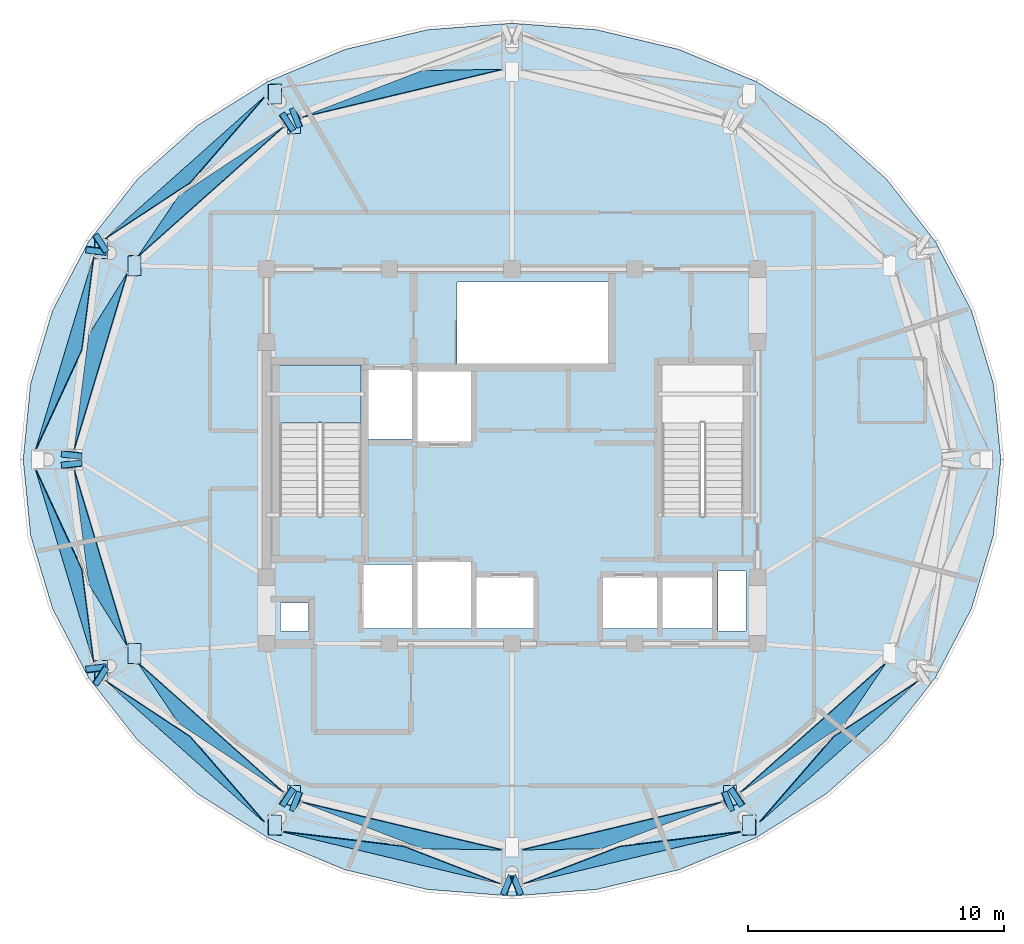
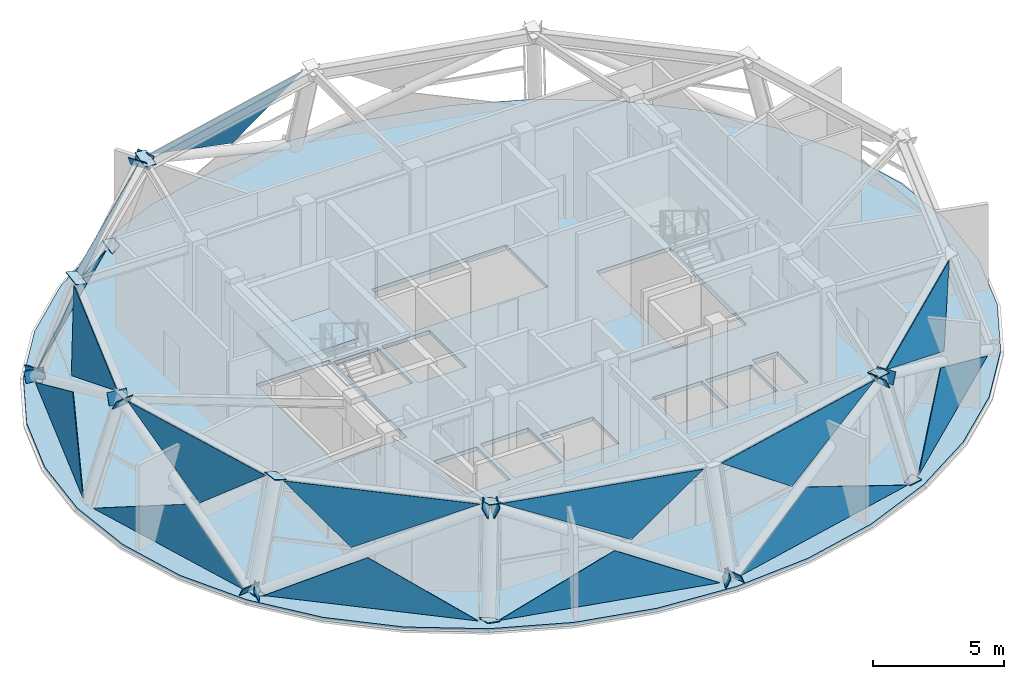
# One storey, part 3 of 11: 39 plates, 2 slabs, 9 elements without a shape of their own.
"""IFC4 building model written with IfcOpenShell, lengths in metres."""

from ifc_helpers import new_model, si_unit, direction, frame, origin, place, context, subcontext, project, spatial, polyline, outline, extrude, material, layer, layer_set, type_object, element, aggregate, save


model = new_model("IFC4")

# Units and contexts
model_context = context("Model", 3, precision=1e-05, world=origin(), true_north=direction((0.0, 1.0)))
body_context = subcontext(model_context, "Body", "Model", "MODEL_VIEW")
ifc_project = project(units=[si_unit("LENGTHUNIT", "METRE"), si_unit("AREAUNIT", "SQUARE_METRE"), si_unit("VOLUMEUNIT", "CUBIC_METRE"), si_unit("PLANEANGLEUNIT", "RADIAN"), si_unit("MASSUNIT", "GRAM", prefix="KILO")], contexts=[model_context])

# Site, building, storey
site_placement = place(None, origin())
site = spatial("IfcSite", under=ifc_project, at=site_placement, CompositionType="ELEMENT")
building_placement = place(site_placement, origin())
building = spatial("IfcBuilding", under=site, at=building_placement, Name="Vantalir Tower", CompositionType="ELEMENT")
storey_placement = place(building_placement, frame((0.0, 0.0, 299.699951171875)))
storey = spatial("IfcBuildingStorey", under=building, at=storey_placement, Name="L75", CompositionType="ELEMENT", Elevation=299.699951171875)

# Curtain wall, plate
ifc_material_1 = material(Name="Champagne-silver PVDF aluminium and double-silver Low-E glass", Category="aluminium")
ifc_layer_1 = layer(ifc_material_1, 0.219970703125)
ifc_layer_set_1 = layer_set([ifc_layer_1], Name="Champagne-silver PVDF aluminium and double-silver Low-E glass")
curtain_wall_type = type_object("IfcCurtainWallType", Name="CW-DIAMOND-Z4", PredefinedType="USERDEFINED", material=ifc_layer_set_1)
curtain_wall_1_placement = place(storey_placement, origin())
curtain_wall_1 = element("IfcCurtainWall", 1, at=curtain_wall_1_placement, inside=storey, type_object=curtain_wall_type, Name="L75 Quilted Pyramid-Diamond Curtain Wall S04", ObjectType="UNITISED CURTAIN WALL", PredefinedType="USERDEFINED")
ifc_material_2 = material(Name="Double-silver Low-E acoustic glass IGU", Category="glass")
ifc_layer_2 = layer(ifc_material_2, 0.031982421875)
ifc_layer_set_2 = layer_set([ifc_layer_2], Name="Double-silver Low-E acoustic glass IGU")
plate_type_1 = type_object("IfcPlateType", Name="CWP-IGU-32", PredefinedType="CURTAIN_PANEL", material=ifc_layer_set_2)
plate_1_placement = place(storey_placement, frame((23.2734375, 38.3916015625, 4.50244140625), z_axis=(-0.222057040959, 0.930461992241, 0.291429496714), x_axis=(0.972681810826, 0.232142400196, -3.031767e-05)))
plate_1 = element("IfcPlate", 2, at=plate_1_placement, type_object=plate_type_1, Name="CW-L75-S04 Pyramid Diamond Facet 2U", PredefinedType="CURTAIN_PANEL", context=body_context, shape_type="SweptSolid", body=[
    extrude(outline(polyline([(0.0, 0.0), (8.052750225916624, 4.082021179407924e-17), (4.999519975123439, 2.3144235336346504), (0.0, 0.0)])), origin(), (0.0, 0.0, -1.0), 0.031982421875),
])
aggregate(curtain_wall_1, [plate_1])

# Curtain wall, plates
curtain_wall_2_placement = place(storey_placement, origin())
curtain_wall_2 = element("IfcCurtainWall", 3, at=curtain_wall_2_placement, inside=storey, type_object=curtain_wall_type, Name="L75 Quilted Pyramid-Diamond Curtain Wall S05", ObjectType="UNITISED CURTAIN WALL", PredefinedType="USERDEFINED")
plate_2_placement = place(storey_placement, frame((21.8232421875, 39.1943359375, 0.047607421875), z_axis=(-0.637563421946, 0.715751023076, 0.284979571131), x_axis=(-0.746708800711, -0.665151085154, 2.9305683e-05)))
plate_2 = element("IfcPlate", 4, at=plate_2_placement, type_object=plate_type_1, Name="CW-L75-S05 Pyramid Diamond Facet 1L", PredefinedType="CURTAIN_PANEL", context=body_context, shape_type="SweptSolid", body=[
    extrude(outline(polyline([(0.0, 0.0), (8.33082872342985, -6.743737512859838e-17), (4.411601351531553, 2.007682653941266), (0.0, 0.0)])), origin(), (0.0, 0.0, -1.0), 0.031982421875),
])
plate_3_placement = place(storey_placement, frame((16.87158203125, 32.94677734375, 4.501953125), z_axis=(-0.633730170821, 0.711524313881, 0.303511484706), x_axis=(0.746763715312, 0.665089429632, 6.3907892e-05)))
plate_3 = element("IfcPlate", 5, at=plate_3_placement, type_object=plate_type_1, Name="CW-L75-S05 Pyramid Diamond Facet 2U", PredefinedType="CURTAIN_PANEL", context=body_context, shape_type="SweptSolid", body=[
    extrude(outline(polyline([(0.0, 0.0), (7.640390513435794, 2.636779683484747e-16), (2.778209285022281, 2.323656790945152), (0.0, 0.0)])), origin(), (0.0, 0.0, -1.0), 0.031982421875),
])
aggregate(curtain_wall_2, [plate_2, plate_3])

curtain_wall_3_placement = place(storey_placement, origin())
curtain_wall_3 = element("IfcCurtainWall", 6, at=curtain_wall_3_placement, inside=storey, type_object=curtain_wall_type, Name="L75 Quilted Pyramid-Diamond Curtain Wall S06", ObjectType="UNITISED CURTAIN WALL", PredefinedType="USERDEFINED")
plate_4_placement = place(storey_placement, frame((15.1396484375, 32.94091796875, 0.048095703125), z_axis=(-0.913751989323, 0.274853466194, 0.299187021994), x_axis=(-0.288066221262, -0.95761048884, -6.1903131e-05)))
plate_4 = element("IfcPlate", 7, at=plate_4_placement, type_object=plate_type_1, Name="CW-L75-S06 Pyramid Diamond Facet 1L", PredefinedType="CURTAIN_PANEL", context=body_context, shape_type="SweptSolid", body=[
    extrude(outline(polyline([(0.0, 0.0), (7.887827968579978, 1.1866592777853846e-16), (3.6206478985520594, 2.019741368903529), (0.0, 0.0)])), origin(), (0.0, 0.0, -1.0), 0.031982421875),
])
plate_5_placement = place(storey_placement, frame((14.375732421875, 25.3876953125, 4.502197265625), z_axis=(-0.907967558751, 0.273206024476, 0.317731617006), x_axis=(0.288115351126, 0.957595707935, -6.7744028e-05)))
plate_5 = element("IfcPlate", 8, at=plate_5_placement, type_object=plate_type_1, Name="CW-L75-S06 Pyramid Diamond Facet 2U", PredefinedType="CURTAIN_PANEL", context=body_context, shape_type="SweptSolid", body=[
    extrude(outline(polyline([(0.0, 0.0), (7.207738664845542, 2.1955093992831465e-16), (4.46783064156701, 2.3345387111269083), (0.0, 0.0)])), origin(), (0.0, 0.0, -1.0), 0.031982421875),
])
aggregate(curtain_wall_3, [plate_4, plate_5])

curtain_wall_4_placement = place(storey_placement, origin())
curtain_wall_4 = element("IfcCurtainWall", 9, at=curtain_wall_4_placement, inside=storey, type_object=curtain_wall_type, Name="L75 Quilted Pyramid-Diamond Curtain Wall S07", ObjectType="UNITISED CURTAIN WALL", PredefinedType="USERDEFINED")
plate_6_placement = place(storey_placement, frame((12.867431640625, 24.612548828125, 0.047607421875), z_axis=(-0.913751989323, -0.274853466194, 0.299187021994), x_axis=(0.288066221262, -0.95761048884, 6.1903131e-05)))
plate_6 = element("IfcPlate", 10, at=plate_6_placement, type_object=plate_type_1, Name="CW-L75-S07 Pyramid Diamond Facet 1L", PredefinedType="CURTAIN_PANEL", context=body_context, shape_type="SweptSolid", body=[
    extrude(outline(polyline([(0.0, 0.0), (7.887827968579978, -1.1866592777853846e-16), (4.267180070027919, 2.019741368903529), (0.0, 0.0)])), origin(), (0.0, 0.0, -1.0), 0.031982421875),
])
plate_7_placement = place(storey_placement, frame((16.452392578125, 17.710205078125, 4.501708984375), z_axis=(-0.907967558751, -0.273206024476, 0.317731617006), x_axis=(-0.288115351126, 0.957595707935, 6.7744028e-05)))
plate_7 = element("IfcPlate", 11, at=plate_7_placement, type_object=plate_type_1, Name="CW-L75-S07 Pyramid Diamond Facet 2U", PredefinedType="CURTAIN_PANEL", context=body_context, shape_type="SweptSolid", body=[
    extrude(outline(polyline([(0.0, 0.0), (7.207738664845542, -2.1955093992831465e-16), (2.739908023278532, 2.3345387111269083), (0.0, 0.0)])), origin(), (0.0, 0.0, -1.0), 0.031982421875),
])
aggregate(curtain_wall_4, [plate_6, plate_7])

curtain_wall_5_placement = place(storey_placement, origin())
curtain_wall_5 = element("IfcCurtainWall", 12, at=curtain_wall_5_placement, inside=storey, type_object=curtain_wall_type, Name="L75 Quilted Pyramid-Diamond Curtain Wall S08", ObjectType="UNITISED CURTAIN WALL", PredefinedType="USERDEFINED")
plate_8_placement = place(storey_placement, frame((15.6025390625, 16.346923828125, 0.0478515625), z_axis=(-0.637563421946, -0.715751023076, 0.284979571131), x_axis=(0.746708800711, -0.665151085154, -2.9305683e-05)))
plate_8 = element("IfcPlate", 13, at=plate_8_placement, type_object=plate_type_1, Name="CW-L75-S08 Pyramid Diamond Facet 1L", PredefinedType="CURTAIN_PANEL", context=body_context, shape_type="SweptSolid", body=[
    extrude(outline(polyline([(0.0, 0.0), (8.33082872342985, 6.743737512859838e-17), (3.919227371898298, 2.0076826539412655), (0.0, 0.0)])), origin(), (0.0, 0.0, -1.0), 0.031982421875),
])
plate_9_placement = place(storey_placement, frame((22.5771484375, 11.9716796875, 4.50244140625), z_axis=(-0.633730170821, -0.711524313881, 0.303511484706), x_axis=(-0.746763715312, 0.665089429632, -6.3907892e-05)))
plate_9 = element("IfcPlate", 14, at=plate_9_placement, type_object=plate_type_1, Name="CW-L75-S08 Pyramid Diamond Facet 2U", PredefinedType="CURTAIN_PANEL", context=body_context, shape_type="SweptSolid", body=[
    extrude(outline(polyline([(0.0, 0.0), (7.640390513435794, -2.636779683484747e-16), (4.8621812284135135, 2.3236567909451518), (0.0, 0.0)])), origin(), (0.0, 0.0, -1.0), 0.031982421875),
])
aggregate(curtain_wall_5, [plate_8, plate_9])

curtain_wall_6_placement = place(storey_placement, origin())
curtain_wall_6 = element("IfcCurtainWall", 15, at=curtain_wall_6_placement, inside=storey, type_object=curtain_wall_type, Name="L75 Quilted Pyramid-Diamond Curtain Wall S09", ObjectType="UNITISED CURTAIN WALL", PredefinedType="USERDEFINED")
plate_10_placement = place(storey_placement, frame((22.518798828125, 10.442626953125, 0.04736328125), z_axis=(-0.223413120987, -0.935858828089, 0.272497396793), x_axis=(0.972671629071, -0.232185053136, 5.5679869e-05)))
plate_10 = element("IfcPlate", 16, at=plate_10_placement, type_object=plate_type_1, Name="CW-L75-S09 Pyramid Diamond Facet 1L", PredefinedType="CURTAIN_PANEL", context=body_context, shape_type="SweptSolid", body=[
    extrude(outline(polyline([(0.0, 0.0), (8.769439656006567, -8.608565249534905e-17), (4.756720443863298, 2.0040418650186504), (0.0, 0.0)])), origin(), (0.0, 0.0, -1.0), 0.031982421875),
])
plate_11_placement = place(storey_placement, frame((31.106201171875, 9.739013671875, 4.502197265625), z_axis=(-0.222057040959, -0.930461992241, 0.291429496714), x_axis=(-0.972681810826, 0.232142400196, 3.031767e-05)))
plate_11 = element("IfcPlate", 17, at=plate_11_placement, type_object=plate_type_1, Name="CW-L75-S09 Pyramid Diamond Facet 2U", PredefinedType="CURTAIN_PANEL", context=body_context, shape_type="SweptSolid", body=[
    extrude(outline(polyline([(0.0, 0.0), (8.052750225916624, -4.082021179407924e-17), (3.0532302507931846, 2.314423533634651), (0.0, 0.0)])), origin(), (0.0, 0.0, -1.0), 0.031982421875),
])
aggregate(curtain_wall_6, [plate_10, plate_11])

curtain_wall_7_placement = place(storey_placement, origin())
curtain_wall_7 = element("IfcCurtainWall", 18, at=curtain_wall_7_placement, inside=storey, type_object=curtain_wall_type, Name="L75 Quilted Pyramid-Diamond Curtain Wall S10", ObjectType="UNITISED CURTAIN WALL", PredefinedType="USERDEFINED")
plate_12_placement = place(storey_placement, frame((31.951416015625, 8.406494140625, 0.0478515625), z_axis=(0.223413120987, -0.935858828089, 0.272497396793), x_axis=(0.972671629071, 0.232185053136, -5.5679869e-05)))
plate_12 = element("IfcPlate", 19, at=plate_12_placement, type_object=plate_type_1, Name="CW-L75-S10 Pyramid Diamond Facet 1L", PredefinedType="CURTAIN_PANEL", context=body_context, shape_type="SweptSolid", body=[
    extrude(outline(polyline([(0.0, 0.0), (8.769439656006567, 8.608565249534905e-17), (4.012719212143269, 2.004041865018651), (0.0, 0.0)])), origin(), (0.0, 0.0, -1.0), 0.031982421875),
])
plate_13_placement = place(storey_placement, frame((39.7265625, 11.6083984375, 4.50244140625), z_axis=(0.222057040959, -0.930461992241, 0.291429496714), x_axis=(-0.972681810826, -0.232142400196, -3.031767e-05)))
plate_13 = element("IfcPlate", 20, at=plate_13_placement, type_object=plate_type_1, Name="CW-L75-S10 Pyramid Diamond Facet 2U", PredefinedType="CURTAIN_PANEL", context=body_context, shape_type="SweptSolid", body=[
    extrude(outline(polyline([(0.0, 0.0), (8.052750225916624, 4.082021179407924e-17), (4.999519975123439, 2.3144235336346504), (0.0, 0.0)])), origin(), (0.0, 0.0, -1.0), 0.031982421875),
])
aggregate(curtain_wall_7, [plate_12, plate_13])

curtain_wall_8_placement = place(storey_placement, origin())
curtain_wall_8 = element("IfcCurtainWall", 21, at=curtain_wall_8_placement, inside=storey, type_object=curtain_wall_type, Name="L75 Quilted Pyramid-Diamond Curtain Wall S11", ObjectType="UNITISED CURTAIN WALL", PredefinedType="USERDEFINED")
plate_14_placement = place(storey_placement, frame((41.1767578125, 10.8056640625, 0.047607421875), z_axis=(0.637563421946, -0.715751023076, 0.284979571131), x_axis=(0.746708800711, 0.665151085154, 2.9305683e-05)))
plate_14 = element("IfcPlate", 22, at=plate_14_placement, type_object=plate_type_1, Name="CW-L75-S11 Pyramid Diamond Facet 1L", PredefinedType="CURTAIN_PANEL", context=body_context, shape_type="SweptSolid", body=[
    extrude(outline(polyline([(0.0, 0.0), (8.33082872342985, -6.743737512859838e-17), (4.411601351531553, 2.007682653941266), (0.0, 0.0)])), origin(), (0.0, 0.0, -1.0), 0.031982421875),
])
plate_15_placement = place(storey_placement, frame((46.12841796875, 17.05322265625, 4.501953125), z_axis=(0.633730170821, -0.711524313881, 0.303511484706), x_axis=(-0.746763715312, -0.665089429632, 6.3907892e-05)))
plate_15 = element("IfcPlate", 23, at=plate_15_placement, type_object=plate_type_1, Name="CW-L75-S11 Pyramid Diamond Facet 2U", PredefinedType="CURTAIN_PANEL", context=body_context, shape_type="SweptSolid", body=[
    extrude(outline(polyline([(0.0, 0.0), (7.640390513435794, 2.636779683484747e-16), (2.778209285022281, 2.323656790945152), (0.0, 0.0)])), origin(), (0.0, 0.0, -1.0), 0.031982421875),
])
aggregate(curtain_wall_8, [plate_14, plate_15])

# Plates
ifc_material_3 = material(Name="Steel S460", Category="steel")
ifc_layer_3 = layer(ifc_material_3, 0.031982421875)
ifc_layer_set_3 = layer_set([ifc_layer_3], Name="Steel S460")
plate_type_2 = type_object("IfcPlateType", Name="PLT-KN-Z3", PredefinedType="USERDEFINED", material=ifc_layer_set_3)
plate_16_placement = place(storey_placement, frame((22.72216796875, 38.503173828125, 4.71240234375), z_axis=(0.158567737457, -0.245595418024, 0.956315409937), x_axis=(5.943765e-06, -0.968569417888, -0.248743407341)))
element("IfcPlate", 24, at=plate_16_placement, inside=storey, type_object=plate_type_2, Name="L75 Ring Column Top Cap RC05", ObjectType="FLANGE_PLATE", PredefinedType="USERDEFINED", context=body_context, shape_type="SweptSolid", body=[
    extrude(outline(polyline([(0.0, 0.0), (0.7998038671736919, 0.0), (0.7998018561473892, 0.5200019932243811), (-0.0002384781693419817, 0.5200116241724827), (0.0, 0.0)])), origin(), (0.0, 0.0, -1.0), 0.031982421875),
])
plate_17_placement = place(storey_placement, frame((21.9716796875, 39.6640625, 0.190185546875), z_axis=(0.158732464016, -0.245483766888, 0.956316749337), x_axis=(2.3168295e-05, -0.968596051962, -0.248639674202)))
element("IfcPlate", 25, at=plate_17_placement, inside=storey, type_object=plate_type_2, Name="L75 Ring Column Base Cap RC05", ObjectType="FLANGE_PLATE", PredefinedType="USERDEFINED", context=body_context, shape_type="SweptSolid", body=[
    extrude(outline(polyline([(0.0, 0.0), (0.7998038592161543, -6.938893903907228e-18), (0.7998018641049068, 0.520001980985125), (5.870793421197673e-05, 0.5200395156410147), (0.0, 0.0)])), origin(), (0.0, 0.0, -1.0), 0.031982421875),
])
plate_18_placement = place(storey_placement, frame((16.490478515625, 32.9638671875, 4.701904296875), z_axis=(0.273121095349, -0.141077917785, 0.951578629641), x_axis=(3.9660663e-05, -0.989186236775, -0.146664881285)))
element("IfcPlate", 26, at=plate_18_placement, inside=storey, type_object=plate_type_2, Name="L75 Ring Column Top Cap RC06", ObjectType="FLANGE_PLATE", PredefinedType="USERDEFINED", context=body_context, shape_type="SweptSolid", body=[
    extrude(outline(polyline([(0.0, 0.0), (0.7999263675012717, 6.938893903907228e-18), (0.8000076031730471, 0.5199823164058048), (0.00011704252755787362, 0.5200482739334533), (0.0, 0.0)])), origin(), (0.0, 0.0, -1.0), 0.031982421875),
])
plate_19_placement = place(storey_placement, frame((15.19140625, 33.6337890625, 0.179443359375), z_axis=(0.27333598191, -0.14092532508, 0.951539538718), x_axis=(0.0, -0.989210016372, -0.146504414643)))
element("IfcPlate", 27, at=plate_19_placement, inside=storey, type_object=plate_type_2, Name="L75 Ring Column Base Cap RC06", ObjectType="FLANGE_PLATE", PredefinedType="USERDEFINED", context=body_context, shape_type="SweptSolid", body=[
    extrude(outline(polyline([(0.0, 0.0), (0.7998905717991556, 0.0), (0.799964715217821, 0.5200482947918399), (7.414341866553154e-05, 0.5200482947918399), (0.0, 0.0)])), origin(), (0.0, 0.0, -1.0), 0.031982421875),
])
plate_20_placement = place(storey_placement, frame((16.490478515625, 17.827392578125, 4.58447265625), z_axis=(0.273121095349, 0.141077917785, 0.951578629641), x_axis=(-3.9660663e-05, -0.989186236775, 0.146664881285)))
element("IfcPlate", 28, at=plate_20_placement, inside=storey, type_object=plate_type_2, Name="L75 Ring Column Top Cap RC08", ObjectType="FLANGE_PLATE", PredefinedType="USERDEFINED", context=body_context, shape_type="SweptSolid", body=[
    extrude(outline(polyline([(0.0, 0.0), (0.7999263675012717, -6.938893903907228e-18), (0.7998093249737137, 0.5200482739334533), (-8.123567177534263e-05, 0.5199823164058048), (0.0, 0.0)])), origin(), (0.0, 0.0, -1.0), 0.031982421875),
])
plate_21_placement = place(storey_placement, frame((15.19140625, 17.157470703125, 0.062255859375), z_axis=(0.27333598191, 0.14092532508, 0.951539538718), x_axis=(0.0, -0.989210016372, 0.146504414643)))
element("IfcPlate", 29, at=plate_21_placement, inside=storey, type_object=plate_type_2, Name="L75 Ring Column Base Cap RC08", ObjectType="FLANGE_PLATE", PredefinedType="USERDEFINED", context=body_context, shape_type="SweptSolid", body=[
    extrude(outline(polyline([(0.0, 0.0), (0.7998905717991556, 0.0), (0.7998164283804899, 0.5200482947918399), (-7.414341866553154e-05, 0.5200482947918399), (0.0, 0.0)])), origin(), (0.0, 0.0, -1.0), 0.031982421875),
])
plate_22_placement = place(storey_placement, frame((22.72216796875, 12.271484375, 4.513427734375), z_axis=(0.158567737457, 0.245595418024, 0.956315409937), x_axis=(-5.943765e-06, -0.968569417888, 0.248743407341)))
element("IfcPlate", 30, at=plate_22_placement, inside=storey, type_object=plate_type_2, Name="L75 Ring Column Top Cap RC09", ObjectType="FLANGE_PLATE", PredefinedType="USERDEFINED", context=body_context, shape_type="SweptSolid", body=[
    extrude(outline(polyline([(0.0, 0.0), (0.7998038671736919, 0.0), (0.8000423453430339, 0.5200116241724828), (2.0110263027998954e-06, 0.5200019932243812), (0.0, 0.0)])), origin(), (0.0, 0.0, -1.0), 0.031982421875),
])
plate_23_placement = place(storey_placement, frame((21.9716796875, 11.110595703125, -0.0087890625), z_axis=(0.158732464016, 0.245483766888, 0.956316749337), x_axis=(-2.3168295e-05, -0.968596051962, 0.248639674202)))
element("IfcPlate", 31, at=plate_23_placement, inside=storey, type_object=plate_type_2, Name="L75 Ring Column Base Cap RC09", ObjectType="FLANGE_PLATE", PredefinedType="USERDEFINED", context=body_context, shape_type="SweptSolid", body=[
    extrude(outline(polyline([(0.0, 0.0), (0.7998038592161543, 6.938893903907228e-18), (0.7997451512819423, 0.5200395156410147), (1.995111247439507e-06, 0.520001980985125), (0.0, 0.0)])), origin(), (0.0, 0.0, -1.0), 0.031982421875),
])
plate_24_placement = place(storey_placement, frame((39.764404296875, 12.2509765625, 4.43359375), z_axis=(-0.158567737457, 0.245595418024, 0.956315409937), x_axis=(-5.942008e-06, -0.968569892701, 0.248741558486)))
element("IfcPlate", 32, at=plate_24_placement, inside=storey, type_object=plate_type_2, Name="L75 Ring Column Top Cap RC11", ObjectType="FLANGE_PLATE", PredefinedType="USERDEFINED", context=body_context, shape_type="SweptSolid", body=[
    extrude(outline(polyline([(0.0, 0.0), (0.8000403343747002, 3.469446951953614e-18), (0.7997955962647834, 0.5200116212639849), (-8.270850956795806e-06, 0.5200019931624941), (0.0, 0.0)])), origin(), (0.0, 0.0, -1.0), 0.031982421875),
])
plate_25_placement = place(storey_placement, frame((40.514892578125, 11.090087890625, -0.088623046875), z_axis=(-0.158732464016, 0.245483766888, 0.956316749337), x_axis=(-2.3170054e-05, -0.968597904264, 0.248632458297)))
element("IfcPlate", 33, at=plate_25_placement, inside=storey, type_object=plate_type_2, Name="L75 Ring Column Base Cap RC11", ObjectType="FLANGE_PLATE", PredefinedType="USERDEFINED", context=body_context, shape_type="SweptSolid", body=[
    extrude(outline(polyline([(0.0, 0.0), (0.7997431570515092, 3.469446951953614e-18), (0.7997774577692941, 0.5200395178236203), (-2.6400565979203816e-05, 0.5200019803187724), (0.0, 0.0)])), origin(), (0.0, 0.0, -1.0), 0.031982421875),
])
plate_26_placement = place(storey_placement, frame((22.794189453125, 38.693115234375, 4.151123046875), z_axis=(-0.840511664938, -0.332122101932, 0.428059634293), x_axis=(0.367493135926, -0.930026233526, 0.0)))
element("IfcPlate", 34, at=plate_26_placement, inside=storey, type_object=plate_type_2, Name="Node Cap Plate MEM-DG-L75-R10L End", ObjectType="FLANGE_PLATE", PredefinedType="USERDEFINED", context=body_context, shape_type="SweptSolid", body=[
    extrude(outline(polyline([(0.0, 0.0), (0.7998661301781739, 0.0), (0.7998845361922605, 0.520022625655371), (1.840601408669145e-05, 0.520022625655371), (0.0, 0.0)])), origin(), (0.0, 0.0, -1.0), 0.031982421875),
])
plate_27_placement = place(storey_placement, frame((14.826416015625, 33.07861328125, -0.044921875), z_axis=(-0.105627893434, -0.88018736296, 0.462723410057), x_axis=(0.992872249778, -0.119183437439, -6.2134989e-05)))
element("IfcPlate", 35, at=plate_27_placement, inside=storey, type_object=plate_type_2, Name="Node Cap Plate MEM-DG-L75-R16L Start", ObjectType="FLANGE_PLATE", PredefinedType="USERDEFINED", context=body_context, shape_type="SweptSolid", body=[
    extrude(outline(polyline([(0.0, 0.0), (0.8001481994181284, 0.0), (0.7999939409007111, 0.5200065450469703), (-0.00012516099851130958, 0.5198943822857446), (0.0, 0.0)])), origin(), (0.0, 0.0, -1.0), 0.031982421875),
])
plate_28_placement = place(storey_placement, frame((13.869140625, 25.100830078125, 4.14892578125), z_axis=(-0.105642528391, -0.880174048962, 0.462745394065), x_axis=(0.992870546891, -0.119197626348, -5.4679033e-05)))
element("IfcPlate", 36, at=plate_28_placement, inside=storey, type_object=plate_type_2, Name="Node Cap Plate MEM-DG-L75-R16L End", ObjectType="FLANGE_PLATE", PredefinedType="USERDEFINED", context=body_context, shape_type="SweptSolid", body=[
    extrude(outline(polyline([(0.0, 0.0), (0.8001482010460648, 6.938893903907228e-18), (0.7999939392730887, 0.5200065475509544), (0.00011723924588092889, 0.5199078575567152), (0.0, 0.0)])), origin(), (0.0, 0.0, -1.0), 0.031982421875),
])
plate_29_placement = place(storey_placement, frame((15.746826171875, 33.18896484375, -0.054931640625), z_axis=(0.755093528934, 0.49034366899, 0.435197482579), x_axis=(-0.544603233274, 0.838693815282, -5.0150249e-05)))
element("IfcPlate", 37, at=plate_29_placement, inside=storey, type_object=plate_type_2, Name="Node Cap Plate MEM-DG-L75-R16R Start", ObjectType="FLANGE_PLATE", PredefinedType="USERDEFINED", context=body_context, shape_type="SweptSolid", body=[
    extrude(outline(polyline([(0.0, 0.0), (0.7998786065810662, 2.7755575615628914e-17), (0.7998944148308773, 0.5201417507206434), (-0.00011715152393746021, 0.5200526340146076), (0.0, 0.0)])), origin(), (0.0, 0.0, -1.0), 0.031982421875),
])
plate_30_placement = place(storey_placement, frame((23.044677734375, 37.927001953125, 4.150634765625), z_axis=(0.755176274565, 0.490308190635, 0.435093866345), x_axis=(-0.544546742017, 0.838730496315, -1.7587275e-05)))
element("IfcPlate", 38, at=plate_30_placement, inside=storey, type_object=plate_type_2, Name="Node Cap Plate MEM-DG-L75-R16R End", ObjectType="FLANGE_PLATE", PredefinedType="USERDEFINED", context=body_context, shape_type="SweptSolid", body=[
    extrude(outline(polyline([(0.0, 0.0), (0.7998786112384895, 2.7755575615628914e-17), (0.8000991831995955, 0.5200838959291229), (-0.00011714220840875485, 0.5200526411801601), (0.0, 0.0)])), origin(), (0.0, 0.0, -1.0), 0.031982421875),
])
plate_31_placement = place(storey_placement, frame((15.311279296875, 16.14013671875, -0.054931640625), z_axis=(0.755093528934, -0.49034366899, 0.435197482579), x_axis=(0.544603233274, 0.838693815282, 5.0150249e-05)))
element("IfcPlate", 39, at=plate_31_placement, inside=storey, type_object=plate_type_2, Name="Node Cap Plate MEM-DG-L75-R22L Start", ObjectType="FLANGE_PLATE", PredefinedType="USERDEFINED", context=body_context, shape_type="SweptSolid", body=[
    extrude(outline(polyline([(0.0, 0.0), (0.7998786065810662, -2.7755575615628914e-17), (0.7999957581050037, 0.5200526340146076), (-1.5808249811093068e-05, 0.5201417507206434), (0.0, 0.0)])), origin(), (0.0, 0.0, -1.0), 0.031982421875),
])
plate_32_placement = place(storey_placement, frame((22.609130859375, 11.402099609375, 4.150634765625), z_axis=(0.755176274565, -0.490308190635, 0.435093866345), x_axis=(0.544546742017, 0.838730496315, 1.7587275e-05)))
element("IfcPlate", 40, at=plate_32_placement, inside=storey, type_object=plate_type_2, Name="Node Cap Plate MEM-DG-L75-R22L End", ObjectType="FLANGE_PLATE", PredefinedType="USERDEFINED", context=body_context, shape_type="SweptSolid", body=[
    extrude(outline(polyline([(0.0, 0.0), (0.7998786112384895, -2.7755575615628914e-17), (0.7999957534468982, 0.5200526411801601), (-0.0002205719611060252, 0.5200838959291229), (0.0, 0.0)])), origin(), (0.0, 0.0, -1.0), 0.031982421875),
])
plate_33_placement = place(storey_placement, frame((15.620849609375, 17.016845703125, -0.044921875), z_axis=(-0.105627893434, 0.88018736296, 0.462723410057), x_axis=(-0.992872249778, -0.119183437439, 6.2134989e-05)))
element("IfcPlate", 41, at=plate_33_placement, inside=storey, type_object=plate_type_2, Name="Node Cap Plate MEM-DG-L75-R22R Start", ObjectType="FLANGE_PLATE", PredefinedType="USERDEFINED", context=body_context, shape_type="SweptSolid", body=[
    extrude(outline(polyline([(0.0, 0.0), (0.8001481994181284, 0.0), (0.8002733604166398, 0.5198943822857446), (0.00015425851741721617, 0.5200065450469703), (0.0, 0.0)])), origin(), (0.0, 0.0, -1.0), 0.031982421875),
])
plate_34_placement = place(storey_placement, frame((14.66357421875, 24.99462890625, 4.14892578125), z_axis=(-0.105642528391, 0.880174048962, 0.462745394065), x_axis=(-0.992870546891, -0.119197626348, 5.4679033e-05)))
element("IfcPlate", 42, at=plate_34_placement, inside=storey, type_object=plate_type_2, Name="Node Cap Plate MEM-DG-L75-R22R End", ObjectType="FLANGE_PLATE", PredefinedType="USERDEFINED", context=body_context, shape_type="SweptSolid", body=[
    extrude(outline(polyline([(0.0, 0.0), (0.8001482010460648, -6.938893903907228e-18), (0.8000309618001838, 0.5199078575567152), (0.00015426177297609854, 0.5200065475509544), (0.0, 0.0)])), origin(), (0.0, 0.0, -1.0), 0.031982421875),
])
plate_35_placement = place(storey_placement, frame((31.942138671875, 8.04248046875, -0.057373046875), z_axis=(0.840548902351, 0.332027847254, 0.428059635337), x_axis=(-0.367388843317, 0.930067437236, 0.0)))
element("IfcPlate", 43, at=plate_35_placement, inside=storey, type_object=plate_type_2, Name="Node Cap Plate MEM-DG-L75-R28L Start", ObjectType="FLANGE_PLATE", PredefinedType="USERDEFINED", context=body_context, shape_type="SweptSolid", body=[
    extrude(outline(polyline([(0.0, 0.0), (0.8000931923945569, 0.0), (0.8000866366473137, 0.5200226259397852), (-6.555747243050525e-06, 0.5200226259397852), (0.0, 0.0)])), origin(), (0.0, 0.0, -1.0), 0.031982421875),
])
plate_36_placement = place(storey_placement, frame((40.205810546875, 11.306884765625, 4.151123046875), z_axis=(0.840511664938, 0.332122101932, 0.428059634293), x_axis=(-0.367493135926, 0.930026233526, 0.0)))
element("IfcPlate", 44, at=plate_36_placement, inside=storey, type_object=plate_type_2, Name="Node Cap Plate MEM-DG-L75-R28L End", ObjectType="FLANGE_PLATE", PredefinedType="USERDEFINED", context=body_context, shape_type="SweptSolid", body=[
    extrude(outline(polyline([(0.0, 0.0), (0.7998661301781739, 0.0), (0.7998845361922605, 0.520022625655371), (1.840601408669145e-05, 0.520022625655371), (0.0, 0.0)])), origin(), (0.0, 0.0, -1.0), 0.031982421875),
])
plate_37_placement = place(storey_placement, frame((31.351806640625, 8.78662109375, -0.057373046875), z_axis=(-0.840548902351, 0.332027847254, 0.428059635337), x_axis=(-0.367388843317, -0.930067437236, 0.0)))
element("IfcPlate", 45, at=plate_37_placement, inside=storey, type_object=plate_type_2, Name="Node Cap Plate MEM-DG-L75-R28R Start", ObjectType="FLANGE_PLATE", PredefinedType="USERDEFINED", context=body_context, shape_type="SweptSolid", body=[
    extrude(outline(polyline([(0.0, 0.0), (0.8000931923945569, 0.0), (0.8000997481417998, 0.5200226259397852), (6.555747243050525e-06, 0.5200226259397852), (0.0, 0.0)])), origin(), (0.0, 0.0, -1.0), 0.031982421875),
])
plate_38_placement = place(storey_placement, frame((23.088134765625, 12.05078125, 4.151123046875), z_axis=(-0.840511664938, 0.332122101932, 0.428059634293), x_axis=(-0.367493135926, -0.930026233526, 0.0)))
element("IfcPlate", 46, at=plate_38_placement, inside=storey, type_object=plate_type_2, Name="Node Cap Plate MEM-DG-L75-R28R End", ObjectType="FLANGE_PLATE", PredefinedType="USERDEFINED", context=body_context, shape_type="SweptSolid", body=[
    extrude(outline(polyline([(0.0, 0.0), (0.7998661301781739, 0.0), (0.7998477241640871, 0.520022625655371), (-1.840601408669145e-05, 0.520022625655371), (0.0, 0.0)])), origin(), (0.0, 0.0, -1.0), 0.031982421875),
])
plate_39_placement = place(storey_placement, frame((39.955322265625, 12.072998046875, 4.150634765625), z_axis=(-0.755176274565, -0.490308190635, 0.435093866345), x_axis=(0.544546742017, -0.838730496315, -1.7587275e-05)))
element("IfcPlate", 47, at=plate_39_placement, inside=storey, type_object=plate_type_2, Name="Node Cap Plate MEM-DG-L75-R34R End", ObjectType="FLANGE_PLATE", PredefinedType="USERDEFINED", context=body_context, shape_type="SweptSolid", body=[
    extrude(outline(polyline([(0.0, 0.0), (0.7998786112384895, 2.7755575615628914e-17), (0.8000991831995955, 0.5200838959291229), (-0.00011714220840875485, 0.5200526411801601), (0.0, 0.0)])), origin(), (0.0, 0.0, -1.0), 0.031982421875),
])

# Stair, slab
ifc_material_4 = material(Name="Concrete C40/50", Category="concrete")
stair_type = type_object("IfcStairType", Name="STR-CORE-1450", PredefinedType="HALF_TURN_STAIR", material=ifc_material_4)
stair_placement = place(storey_placement, origin())
stair = element("IfcStair", 48, at=stair_placement, inside=storey, type_object=stair_type, Name="L75 Core Exit Stair 1", PredefinedType="HALF_TURN_STAIR")
ifc_layer_4 = layer(ifc_material_4, 0.199951171875)
ifc_layer_set_4 = layer_set([ifc_layer_4], Name="Concrete C40/50")
slab_type_1 = type_object("IfcSlabType", Name="SL-LAND-200", PredefinedType="LANDING", material=ifc_layer_set_4)
slab_1_placement = place(storey_placement, frame((0.0, 0.0, 2.199951171875)))
slab_1 = element("IfcSlab", 49, at=slab_1_placement, type_object=slab_type_1, Name="ST1 landing 1", PredefinedType="LANDING", context=body_context, shape_type="SweptSolid", body=[
    extrude(outline(polyline([(25.60009765625, 26.429931640625), (25.60009765625, 28.699951171875), (22.39990234375, 28.699951171875), (22.39990234375, 26.429931640625), (25.60009765625, 26.429931640625)])), origin(), (0.0, 0.0, 1.0), 0.2001953125),
])
aggregate(stair, [slab_1])

# Slab
ifc_layer_5 = layer(ifc_material_4, 0.179931640625)
ifc_layer_set_5 = layer_set([ifc_layer_5], Name="Concrete C40/50")
slab_type_2 = type_object("IfcSlabType", Name="SL-TWR-180", PredefinedType="FLOOR", material=ifc_layer_set_5)
slab_2_placement = place(storey_placement, frame((0.0, 0.0, -0.179931640625)))
element("IfcSlab", 50, at=slab_2_placement, inside=storey, type_object=slab_type_2, Name="L75 Primary Structural Slab", PredefinedType="FLOOR", context=body_context, shape_type="SweptSolid", body=[
    extrude(outline(polyline([(24.964111328125, 8.967041015625), (28.181884765625, 8.197021484375), (31.5, 7.93798828125), (34.818115234375, 8.197021484375), (38.035888671875, 8.967041015625), (41.054931640625, 10.22412109375), (43.783935546875, 11.929931640625), (46.138916015625, 14.032958984375), (48.050048828125, 16.468994140625), (49.4580078125, 19.1640625), (50.320068359375, 22.037109375), (50.610107421875, 25.0), (50.320068359375, 27.962890625), (49.4580078125, 30.8359375), (48.050048828125, 33.531005859375), (46.138916015625, 35.967041015625), (43.783935546875, 38.070068359375), (41.054931640625, 39.77587890625), (38.035888671875, 41.032958984375), (34.818115234375, 41.802978515625), (31.5, 42.06201171875), (28.181884765625, 41.802978515625), (24.964111328125, 41.032958984375), (21.945068359375, 39.77587890625), (19.216064453125, 38.070068359375), (16.861083984375, 35.967041015625), (14.949951171875, 33.531005859375), (13.5419921875, 30.8359375), (12.679931640625, 27.962890625), (12.389892578125, 25.0), (12.679931640625, 22.037109375), (13.5419921875, 19.1640625), (14.949951171875, 16.468994140625), (16.861083984375, 14.032958984375), (19.216064453125, 11.929931640625), (21.945068359375, 10.22412109375), (24.964111328125, 8.967041015625)]), holes=[polyline([(22.39990234375, 22.7900390625), (22.39990234375, 28.699951171875), (25.60009765625, 28.699951171875), (25.60009765625, 22.7900390625), (22.39990234375, 22.7900390625)]), polyline([(37.35009765625, 28.699951171875), (40.550048828125, 28.699951171875), (40.550048828125, 22.7900390625), (37.35009765625, 22.7900390625), (37.35009765625, 28.699951171875)]), polyline([(35.25, 28.75), (29.340087890625, 28.75), (29.340087890625, 31.949951171875), (35.25, 31.949951171875), (35.25, 28.75)]), polyline([(27.60009765625, 18.39990234375), (25.699951171875, 18.39990234375), (25.699951171875, 20.89990234375), (27.60009765625, 20.89990234375), (27.60009765625, 18.39990234375)]), polyline([(25.699951171875, 25.800048828125), (25.699951171875, 28.5), (27.60009765625, 28.5), (27.60009765625, 25.800048828125), (25.699951171875, 25.800048828125)]), polyline([(27.800048828125, 21.0), (29.89990234375, 21.0), (29.89990234375, 18.39990234375), (27.800048828125, 18.39990234375), (27.800048828125, 21.0)]), polyline([(29.89990234375, 28.5), (29.89990234375, 25.699951171875), (27.800048828125, 25.699951171875), (27.800048828125, 28.5), (29.89990234375, 28.5)]), polyline([(32.39990234375, 18.39990234375), (30.10009765625, 18.39990234375), (30.10009765625, 20.39990234375), (32.39990234375, 20.39990234375), (32.39990234375, 18.39990234375)]), polyline([(37.35009765625, 18.39990234375), (37.35009765625, 20.39990234375), (39.35009765625, 20.39990234375), (39.35009765625, 18.39990234375), (37.35009765625, 18.39990234375)]), polyline([(35.0, 20.39990234375), (37.199951171875, 20.39990234375), (37.199951171875, 18.39990234375), (35.0, 18.39990234375), (35.0, 20.39990234375)]), polyline([(23.550048828125, 19.39990234375), (23.550048828125, 18.300048828125), (22.449951171875, 18.300048828125), (22.449951171875, 19.39990234375), (23.550048828125, 19.39990234375)]), polyline([(40.64990234375, 18.300048828125), (39.550048828125, 18.300048828125), (39.550048828125, 20.64990234375), (40.64990234375, 20.64990234375), (40.64990234375, 18.300048828125)])]), origin(), (0.0, 0.0, 1.0), 0.179931640625),
])

save(model, "model.ifc")
